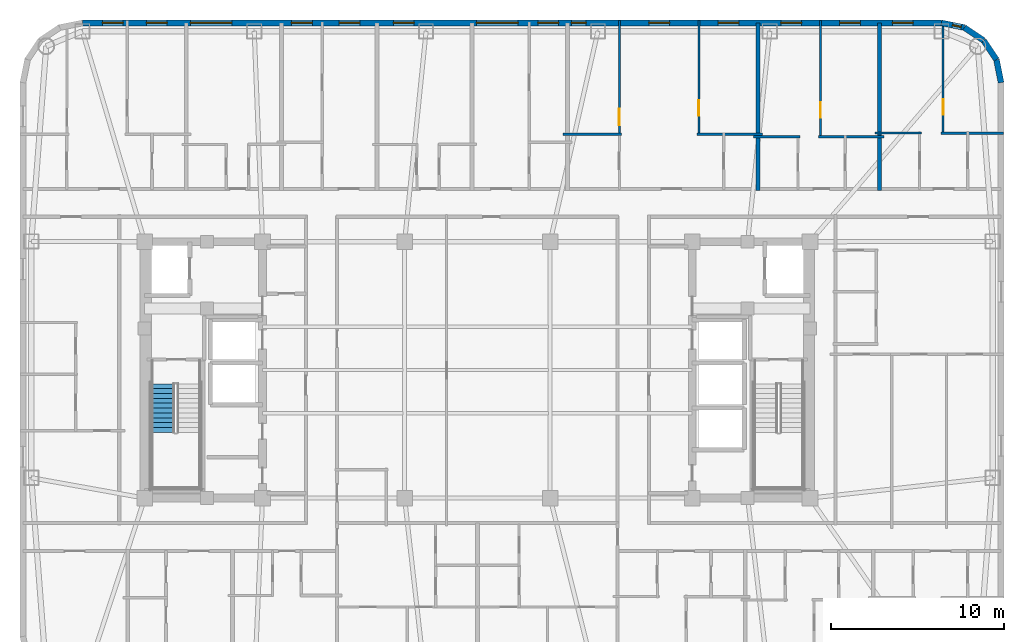
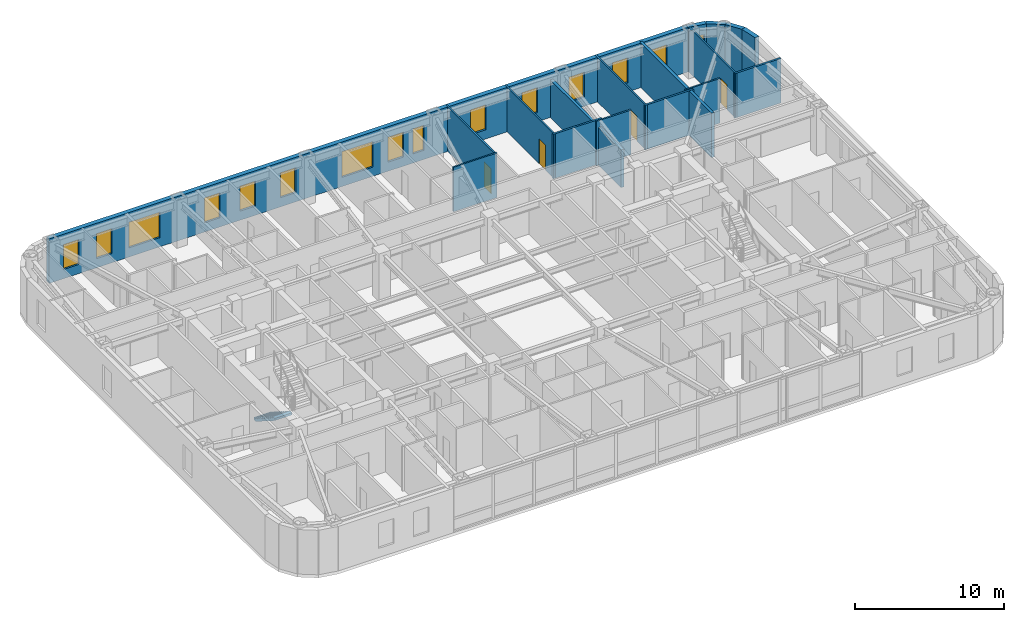
# One storey, part 14 of 17: 17 walls, 15 windows, 4 doors, 1 stair flight, 19 openings, 1 element without a shape of its own.
"""IFC4 building model written with IfcOpenShell, lengths in metres."""

import ifcopenshell
import ifcopenshell.guid

model = None  # the IFC model being written
_history = None  # IfcOwnerHistory: only IFC2X3 demands one
_inside = {}  # id of a spatial element -> (the spatial element, [elements in it])
_under = {}  # id of a project, library or spatial element -> (it, [spatial elements below it])
_declared = {}  # id of a project -> (the project, [libraries it declares])
_typed = {}  # id of a type object -> (the type object, [elements of that type])
_made_of = {}  # id of a material, layer set ... -> (it, [elements and type objects made of it])


def new_model(schema):
    """Start an empty IFC model of exactly this schema.

    Asked for "IFC4X3", IfcOpenShell would pick the latest addendum, in which some entities
    have other attributes; the version numbers below select the first issue.
    IFC2X3 requires an IfcOwnerHistory on every rooted entity: one is made here for all.
    """
    global model, _history
    if schema == "IFC4X3":
        model = ifcopenshell.file(schema_version=(4, 3, 0, 0))
    else:
        model = ifcopenshell.file(schema=schema)
    _inside.clear()
    _under.clear()
    _declared.clear()
    _typed.clear()
    _made_of.clear()
    _history = None
    if model.schema == "IFC2X3":
        org = make("IfcOrganization", Name="unknown")
        user = make(
            "IfcPersonAndOrganization",
            ThePerson=make("IfcPerson", FamilyName="unknown"),
            TheOrganization=org,
        )
        app = make(
            "IfcApplication",
            ApplicationDeveloper=org,
            Version="unknown",
            ApplicationFullName="unknown",
            ApplicationIdentifier="unknown",
        )
        _history = make(
            "IfcOwnerHistory",
            OwningUser=user,
            OwningApplication=app,
            ChangeAction="ADDED",
            CreationDate=0,
        )
    return model


def make(cls, **values):
    """One entity of the class cls with the attributes given. An attribute that is None is left unset."""
    return model.create_entity(
        cls, **{name: value for name, value in values.items() if value is not None}
    )


def rooted(cls, **values):
    """An entity with a GlobalId (a new one), such as an element, a storey or a relation."""
    return make(cls, GlobalId=ifcopenshell.guid.new(), OwnerHistory=_history, **values)


def si_unit(unit_type, name, prefix=None):
    """IfcSIUnit, for example si_unit("LENGTHUNIT", "METRE", prefix="MILLI")."""
    return make("IfcSIUnit", UnitType=unit_type, Prefix=prefix, Name=name)


def assignment(units):
    """IfcUnitAssignment: the units of a project."""
    return None if units is None else make("IfcUnitAssignment", Units=units)


def point(xyz):
    """IfcCartesianPoint."""
    return None if xyz is None else make("IfcCartesianPoint", Coordinates=xyz)


def direction(xyz):
    """IfcDirection."""
    return None if xyz is None else make("IfcDirection", DirectionRatios=xyz)


def frame(location, z_axis=None, x_axis=None):
    """IfcAxis2Placement3D, a coordinate frame: its origin and axes. An axis left out is left unset."""
    return make(
        "IfcAxis2Placement3D",
        Location=point(location),
        Axis=direction(z_axis),
        RefDirection=direction(x_axis),
    )


def frame_2d(location, x_axis=None):
    """IfcAxis2Placement2D, a coordinate frame in the plane: its origin and x axis."""
    return make(
        "IfcAxis2Placement2D", Location=point(location), RefDirection=direction(x_axis)
    )


def origin():
    """The frame at (0, 0, 0) with its axes left unset."""
    return frame((0.0, 0.0, 0.0))


def place(relative_to, where):
    """IfcLocalPlacement: puts the frame where relative to a parent placement (None: the world)."""
    return make(
        "IfcLocalPlacement", PlacementRelTo=relative_to, RelativePlacement=where
    )


def context(
    kind, dimensions, precision=None, world=None, true_north=None, identifier=None
):
    """IfcGeometricRepresentationContext, for example the 3D "Model" context."""
    return make(
        "IfcGeometricRepresentationContext",
        ContextIdentifier=identifier,
        ContextType=kind,
        CoordinateSpaceDimension=dimensions,
        Precision=precision,
        WorldCoordinateSystem=world,
        TrueNorth=true_north,
    )


def subcontext(parent, identifier, kind, view, scale=None):
    """IfcGeometricRepresentationSubContext, for example "Body" below "Model"."""
    return make(
        "IfcGeometricRepresentationSubContext",
        ContextIdentifier=identifier,
        ContextType=kind,
        ParentContext=parent,
        TargetScale=scale,
        TargetView=view,
    )


def project(units=None, contexts=None):
    """IfcProject with its units and contexts."""
    return rooted(
        "IfcProject",
        Name="project",
        RepresentationContexts=contexts,
        UnitsInContext=assignment(units),
    )


def spatial(cls, under=None, at=None, **own):
    """A site, building, storey or space (cls), placed at a placement, below another one or the project."""
    s = rooted(cls, ObjectPlacement=at, **own)
    if under is not None:
        _under.setdefault(under.id(), (under, []))[1].append(s)
    return s


def polyline(points):
    """IfcPolyline through the points."""
    return make("IfcPolyline", Points=[point(p) for p in points])


def profile(cls, at=None, kind="AREA", **sizes):
    """A parametric profile (cls). Its sizes go by their IFC names, for example OverallWidth=200.0."""
    return make(cls, ProfileType=kind, Position=at, **sizes)


def rectangle(**sizes):
    """IfcRectangleProfileDef."""
    return profile("IfcRectangleProfileDef", **sizes)


def outline(outer, holes=None, kind="AREA"):
    """IfcArbitraryClosedProfileDef: a profile drawn as a closed curve; with holes, ...WithVoids."""
    if holes is None:
        return make("IfcArbitraryClosedProfileDef", ProfileType=kind, OuterCurve=outer)
    return make(
        "IfcArbitraryProfileDefWithVoids",
        ProfileType=kind,
        OuterCurve=outer,
        InnerCurves=holes,
    )


def extrude(swept, where, along, depth):
    """IfcExtrudedAreaSolid: the profile swept, set in the frame where, extruded along a direction by depth."""
    return make(
        "IfcExtrudedAreaSolid",
        SweptArea=swept,
        Position=where,
        ExtrudedDirection=direction(along),
        Depth=depth,
    )


def shape(context_of_items, identifier, shape_type, items):
    """IfcShapeRepresentation: the items that make up one representation, for example the "Body"."""
    return make(
        "IfcShapeRepresentation",
        ContextOfItems=context_of_items,
        RepresentationIdentifier=identifier,
        RepresentationType=shape_type,
        Items=items,
    )


def material(Name=None, Category=None):
    """IfcMaterial."""
    return make("IfcMaterial", Name=Name, Category=Category)


def layer(
    of_material, thickness, ventilated=None, Name=None, Category=None, Priority=None
):
    """IfcMaterialLayer: one layer of a wall or slab, of a material (None: an air gap)."""
    return make(
        "IfcMaterialLayer",
        Material=of_material,
        LayerThickness=thickness,
        IsVentilated=ventilated,
        Name=Name,
        Category=Category,
        Priority=Priority,
    )


def layer_set(layers, Name=None):
    """IfcMaterialLayerSet."""
    return make("IfcMaterialLayerSet", MaterialLayers=layers, LayerSetName=Name)


def made_of(thing, what):
    """Note that an element or type object is made of a material, layer set ...; save() writes the relation."""
    if what is not None:
        _made_of.setdefault(what.id(), (what, []))[1].append(thing)
    return thing


def type_object(cls, material=None, **own):
    """A type object (cls), such as IfcWallType, which elements share."""
    return made_of(rooted(cls, **own), material)


def element(
    cls,
    number,
    at=None,
    inside=None,
    cuts=None,
    type_object=None,
    material=None,
    context=None,
    identifier="Body",
    shape_type=None,
    held_by="IfcProductDefinitionShape",
    body=None,
    shapes=None,
    **own,
):
    """One element of the class cls, such as IfcWall. Its Tag is "e" and its number.

    at: its placement. inside: the storey or other place that contains it. cuts: it is an
    opening in that element (IfcRelVoidsElement). A single representation is given by context,
    identifier, shape_type and body (its items); several are given by shapes. held_by: the class
    of the entity that holds the representations. save() writes the other relations.
    """
    e = rooted(cls, Tag="e%d" % number, ObjectPlacement=at, **own)
    if body is not None:
        shapes = [shape(context, identifier, shape_type, body)]
    if shapes is not None:
        e.Representation = make(held_by, Representations=shapes)
    if inside is not None:
        _inside.setdefault(inside.id(), (inside, []))[1].append(e)
    if cuts is not None:
        rooted(
            "IfcRelVoidsElement", RelatingBuildingElement=cuts, RelatedOpeningElement=e
        )
    if type_object is not None:
        _typed.setdefault(type_object.id(), (type_object, []))[1].append(e)
    return made_of(e, material)


def fill(opening, filler):
    """IfcRelFillsElement: the door or window that sits in an opening."""
    return rooted(
        "IfcRelFillsElement",
        RelatingOpeningElement=opening,
        RelatedBuildingElement=filler,
    )


def aggregate(whole, parts):
    """IfcRelAggregates: a whole, such as a stair, and the parts it consists of."""
    return rooted("IfcRelAggregates", RelatingObject=whole, RelatedObjects=parts)


def save(model, path):
    """Write the relations noted so far, then the file.

    IfcRelAggregates (storeys below a building ...), IfcRelContainedInSpatialStructure (elements
    in a storey), IfcRelDefinesByType, IfcRelAssociatesMaterial and IfcRelDeclares: one each for
    every whole, place, type object, material and project.
    """
    for whole, parts in _under.values():
        aggregate(whole, parts)
    for where, things in _inside.values():
        rooted(
            "IfcRelContainedInSpatialStructure",
            RelatedElements=things,
            RelatingStructure=where,
        )
    for kind, things in _typed.values():
        rooted("IfcRelDefinesByType", RelatedObjects=things, RelatingType=kind)
    for what, things in _made_of.values():
        rooted("IfcRelAssociatesMaterial", RelatedObjects=things, RelatingMaterial=what)
    for by, libraries in _declared.values():
        rooted("IfcRelDeclares", RelatingContext=by, RelatedDefinitions=libraries)
    model.write(path)


model = new_model("IFC4")

# Units and contexts
model_context = context("Model", 3, precision=1e-05, world=origin(), true_north=direction((0.0, 1.0)))
body_context = subcontext(model_context, "Body", "Model", "MODEL_VIEW")
ifc_project = project(units=[si_unit("LENGTHUNIT", "METRE"), si_unit("AREAUNIT", "SQUARE_METRE"), si_unit("VOLUMEUNIT", "CUBIC_METRE"), si_unit("PLANEANGLEUNIT", "RADIAN"), si_unit("MASSUNIT", "GRAM", prefix="KILO")], contexts=[model_context])

# Site, building, storey
site_placement = place(None, origin())
site = spatial("IfcSite", under=ifc_project, at=site_placement, CompositionType="ELEMENT")
building_placement = place(site_placement, origin())
building = spatial("IfcBuilding", under=site, at=building_placement, Name="Voryun Gate Residences", CompositionType="ELEMENT")
storey_placement = place(building_placement, frame((0.0, 0.0, 204.10009765625)))
storey = spatial("IfcBuildingStorey", under=building, at=storey_placement, Name="L50", CompositionType="ELEMENT", Elevation=204.10009765625)

# Wall, openings, windows
ifc_material_1 = material(Name="Charcoal terracotta masonry", Category="masonry")
ifc_layer_1 = layer(ifc_material_1, 0.340087890625, Name="W_EXT_TERRACOTTA_340")
ifc_layer_set_1 = layer_set([ifc_layer_1], Name="Charcoal terracotta masonry")
wall_type_1 = type_object("IfcWallType", Name="W_EXT_TERRACOTTA_340", PredefinedType="ELEMENTEDWALL", material=ifc_layer_set_1)
wall_1_placement = place(storey_placement, frame((-22.783203125, 20.030029296875, 0.0), z_axis=(0.0, 0.0, 1.0), x_axis=(1.0, 0.0, 0.0)))
wall_1 = element("IfcWall", 1, at=wall_1_placement, inside=storey, type_object=wall_type_1, Name="Exterior wall WEXT-L50-11", PredefinedType="ELEMENTEDWALL", context=body_context, shape_type="SweptSolid", body=[
    extrude(rectangle(XDim=49.56640625, YDim=0.340087890625, at=frame_2d((24.783203125, 0.0))), origin(), (0.0, 0.0, 1.0), 3.64990234375),
])
opening_1_placement = place(wall_1_placement, frame((6.211181640625, 0.0, 0.75)))
opening_1 = element("IfcOpeningElement", 2, at=opening_1_placement, cuts=wall_1, Name="Opening WN2", PredefinedType="OPENING", context=body_context, shape_type="SweptSolid", body=[
    extrude(rectangle(XDim=2.39990234375, YDim=2.10009765625, at=frame_2d((1.199951171875, 1.050048828125))), frame((0.0, 0.179931640625, 0.0), z_axis=(0.0, -1.0, 0.0), x_axis=(1.0, 0.0, 0.0)), (0.0, 0.0, 1.0), 0.360107421875),
])
opening_2_placement = place(wall_1_placement, frame((22.7333984375, 0.0, 0.75)))
opening_2 = element("IfcOpeningElement", 3, at=opening_2_placement, cuts=wall_1, Name="Opening WN2", PredefinedType="OPENING", context=body_context, shape_type="SweptSolid", body=[
    extrude(rectangle(XDim=2.39990234375, YDim=2.10009765625, at=frame_2d((1.199951171875, 1.050048828125))), frame((0.0, 0.179931640625, 0.0), z_axis=(0.0, -1.0, 0.0), x_axis=(1.0, 0.0, 0.0)), (0.0, 0.0, 1.0), 0.360107421875),
])
opening_3_placement = place(wall_1_placement, frame((1.131591796875, 0.0, 0.75)))
opening_3 = element("IfcOpeningElement", 4, at=opening_3_placement, cuts=wall_1, Name="Opening WN6", PredefinedType="OPENING", context=body_context, shape_type="SweptSolid", body=[
    extrude(rectangle(XDim=1.199951171875, YDim=2.050048828125, at=frame_2d((0.60009765625, 1.02490234375))), frame((0.0, 0.179931640625, 0.0), z_axis=(0.0, -1.0, 0.0), x_axis=(1.0, 0.0, 0.0)), (0.0, 0.0, 1.0), 0.360107421875),
])
opening_4_placement = place(wall_1_placement, frame((3.67822265625, 0.0, 0.75)))
opening_4 = element("IfcOpeningElement", 5, at=opening_4_placement, cuts=wall_1, Name="Opening WN6", PredefinedType="OPENING", context=body_context, shape_type="SweptSolid", body=[
    extrude(rectangle(XDim=1.199951171875, YDim=2.050048828125, at=frame_2d((0.60009765625, 1.02490234375))), frame((0.0, 0.179931640625, 0.0), z_axis=(0.0, -1.0, 0.0), x_axis=(1.0, 0.0, 0.0)), (0.0, 0.0, 1.0), 0.360107421875),
])
opening_5_placement = place(wall_1_placement, frame((14.8037109375, 0.0, 0.75)))
opening_5 = element("IfcOpeningElement", 6, at=opening_5_placement, cuts=wall_1, Name="Opening WN6", PredefinedType="OPENING", context=body_context, shape_type="SweptSolid", body=[
    extrude(rectangle(XDim=1.199951171875, YDim=2.050048828125, at=frame_2d((0.60009765625, 1.02490234375))), frame((0.0, 0.179931640625, 0.0), z_axis=(0.0, -1.0, 0.0), x_axis=(1.0, 0.0, 0.0)), (0.0, 0.0, 1.0), 0.360107421875),
])
opening_6_placement = place(wall_1_placement, frame((12.0537109375, 0.0, 0.75)))
opening_6 = element("IfcOpeningElement", 7, at=opening_6_placement, cuts=wall_1, Name="Opening WN6", PredefinedType="OPENING", context=body_context, shape_type="SweptSolid", body=[
    extrude(rectangle(XDim=1.199951171875, YDim=2.050048828125, at=frame_2d((0.60009765625, 1.02490234375))), frame((0.0, 0.179931640625, 0.0), z_axis=(0.0, -1.0, 0.0), x_axis=(1.0, 0.0, 0.0)), (0.0, 0.0, 1.0), 0.360107421875),
])
opening_7_placement = place(wall_1_placement, frame((17.933349609375, 0.0, 0.75)))
opening_7 = element("IfcOpeningElement", 8, at=opening_7_placement, cuts=wall_1, Name="Opening WN6", PredefinedType="OPENING", context=body_context, shape_type="SweptSolid", body=[
    extrude(rectangle(XDim=1.199951171875, YDim=2.050048828125, at=frame_2d((0.60009765625, 1.02490234375))), frame((0.0, 0.179931640625, 0.0), z_axis=(0.0, -1.0, 0.0), x_axis=(1.0, 0.0, 0.0)), (0.0, 0.0, 1.0), 0.360107421875),
])
opening_8_placement = place(wall_1_placement, frame((26.2783203125, 0.0, 0.75)))
opening_8 = element("IfcOpeningElement", 9, at=opening_8_placement, cuts=wall_1, Name="Opening WN6", PredefinedType="OPENING", context=body_context, shape_type="SweptSolid", body=[
    extrude(rectangle(XDim=1.199951171875, YDim=2.050048828125, at=frame_2d((0.60009765625, 1.02490234375))), frame((0.0, 0.179931640625, 0.0), z_axis=(0.0, -1.0, 0.0), x_axis=(1.0, 0.0, 0.0)), (0.0, 0.0, 1.0), 0.360107421875),
])
opening_9_placement = place(wall_1_placement, frame((32.67724609375, 0.0, 0.75)))
opening_9 = element("IfcOpeningElement", 10, at=opening_9_placement, cuts=wall_1, Name="Opening WN6", PredefinedType="OPENING", context=body_context, shape_type="SweptSolid", body=[
    extrude(rectangle(XDim=1.199951171875, YDim=2.050048828125, at=frame_2d((0.60009765625, 1.02490234375))), frame((0.0, 0.179931640625, 0.0), z_axis=(0.0, -1.0, 0.0), x_axis=(1.0, 0.0, 0.0)), (0.0, 0.0, 1.0), 0.360107421875),
])
opening_10_placement = place(wall_1_placement, frame((28.21728515625, 0.0, 0.75)))
opening_10 = element("IfcOpeningElement", 11, at=opening_10_placement, cuts=wall_1, Name="Opening WN9", PredefinedType="OPENING", context=body_context, shape_type="SweptSolid", body=[
    extrude(rectangle(XDim=0.85009765625, YDim=2.050048828125, at=frame_2d((0.425048828125, 1.02490234375))), frame((0.0, 0.179931640625, 0.0), z_axis=(0.0, -1.0, 0.0), x_axis=(1.0, 0.0, 0.0)), (0.0, 0.0, 1.0), 0.360107421875),
])
opening_11_placement = place(wall_1_placement, frame((36.67822265625, 0.0, 0.75)))
opening_11 = element("IfcOpeningElement", 12, at=opening_11_placement, cuts=wall_1, Name="Opening WN6", PredefinedType="OPENING", context=body_context, shape_type="SweptSolid", body=[
    extrude(rectangle(XDim=1.199951171875, YDim=2.050048828125, at=frame_2d((0.60009765625, 1.02490234375))), frame((0.0, 0.179931640625, 0.0), z_axis=(0.0, -1.0, 0.0), x_axis=(1.0, 0.0, 0.0)), (0.0, 0.0, 1.0), 0.360107421875),
])
opening_12_placement = place(wall_1_placement, frame((40.307373046875, 0.0, 0.75)))
opening_12 = element("IfcOpeningElement", 13, at=opening_12_placement, cuts=wall_1, Name="Opening WN6", PredefinedType="OPENING", context=body_context, shape_type="SweptSolid", body=[
    extrude(rectangle(XDim=1.199951171875, YDim=2.050048828125, at=frame_2d((0.60009765625, 1.02490234375))), frame((0.0, 0.179931640625, 0.0), z_axis=(0.0, -1.0, 0.0), x_axis=(1.0, 0.0, 0.0)), (0.0, 0.0, 1.0), 0.360107421875),
])
opening_13_placement = place(wall_1_placement, frame((43.6962890625, 0.0, 0.75)))
opening_13 = element("IfcOpeningElement", 14, at=opening_13_placement, cuts=wall_1, Name="Opening WN6", PredefinedType="OPENING", context=body_context, shape_type="SweptSolid", body=[
    extrude(rectangle(XDim=1.199951171875, YDim=2.050048828125, at=frame_2d((0.60009765625, 1.02490234375))), frame((0.0, 0.179931640625, 0.0), z_axis=(0.0, -1.0, 0.0), x_axis=(1.0, 0.0, 0.0)), (0.0, 0.0, 1.0), 0.360107421875),
])
opening_14_placement = place(wall_1_placement, frame((46.739013671875, 0.0, 0.75)))
opening_14 = element("IfcOpeningElement", 15, at=opening_14_placement, cuts=wall_1, Name="Opening WN6", PredefinedType="OPENING", context=body_context, shape_type="SweptSolid", body=[
    extrude(rectangle(XDim=1.199951171875, YDim=2.050048828125, at=frame_2d((0.60009765625, 1.02490234375))), frame((0.0, 0.179931640625, 0.0), z_axis=(0.0, -1.0, 0.0), x_axis=(1.0, 0.0, 0.0)), (0.0, 0.0, 1.0), 0.360107421875),
])
ifc_material_2 = material(Name="Laminated low-E glass", Category="glass")
window_type_1 = type_object("IfcWindowType", Name="WN_POD_SLOT_1200", PartitioningType="SINGLE_PANEL", PredefinedType="WINDOW", material=ifc_material_2)
window_1_placement = place(opening_3_placement, origin())
window_1 = element("IfcWindow", 16, at=window_1_placement, inside=storey, type_object=window_type_1, Name="Window WN-L50-DWFIX-01", OverallHeight=2.050048828125, OverallWidth=1.199951171875, PartitioningType="SINGLE_PANEL", PredefinedType="WINDOW", context=body_context, shape_type="SweptSolid", body=[
    extrude(rectangle(XDim=1.199951171875, YDim=2.050048828125, at=frame_2d((0.60009765625, 1.02490234375))), frame((0.0, 0.030029296875, 0.0), z_axis=(0.0, -1.0, 0.0), x_axis=(1.0, 0.0, 0.0)), (0.0, 0.0, 1.0), 0.06005859375),
])
fill(opening_3, window_1)
window_2_placement = place(opening_4_placement, origin())
window_2 = element("IfcWindow", 17, at=window_2_placement, inside=storey, type_object=window_type_1, Name="Window WN-L50-DWFIX-03", OverallHeight=2.050048828125, OverallWidth=1.199951171875, PartitioningType="SINGLE_PANEL", PredefinedType="WINDOW", context=body_context, shape_type="SweptSolid", body=[
    extrude(rectangle(XDim=1.199951171875, YDim=2.050048828125, at=frame_2d((0.60009765625, 1.02490234375))), frame((0.0, 0.030029296875, 0.0), z_axis=(0.0, -1.0, 0.0), x_axis=(1.0, 0.0, 0.0)), (0.0, 0.0, 1.0), 0.06005859375),
])
fill(opening_4, window_2)
window_3_placement = place(opening_5_placement, origin())
window_3 = element("IfcWindow", 18, at=window_3_placement, inside=storey, type_object=window_type_1, Name="Window WN-L50-DWFIX-04", OverallHeight=2.050048828125, OverallWidth=1.199951171875, PartitioningType="SINGLE_PANEL", PredefinedType="WINDOW", context=body_context, shape_type="SweptSolid", body=[
    extrude(rectangle(XDim=1.199951171875, YDim=2.050048828125, at=frame_2d((0.60009765625, 1.02490234375))), frame((0.0, 0.030029296875, 0.0), z_axis=(0.0, -1.0, 0.0), x_axis=(1.0, 0.0, 0.0)), (0.0, 0.0, 1.0), 0.06005859375),
])
fill(opening_5, window_3)
window_4_placement = place(opening_6_placement, origin())
window_4 = element("IfcWindow", 19, at=window_4_placement, inside=storey, type_object=window_type_1, Name="Window WN-L50-DWFIX-05", OverallHeight=2.050048828125, OverallWidth=1.199951171875, PartitioningType="SINGLE_PANEL", PredefinedType="WINDOW", context=body_context, shape_type="SweptSolid", body=[
    extrude(rectangle(XDim=1.199951171875, YDim=2.050048828125, at=frame_2d((0.60009765625, 1.02490234375))), frame((0.0, 0.030029296875, 0.0), z_axis=(0.0, -1.0, 0.0), x_axis=(1.0, 0.0, 0.0)), (0.0, 0.0, 1.0), 0.06005859375),
])
fill(opening_6, window_4)
window_5_placement = place(opening_7_placement, origin())
window_5 = element("IfcWindow", 20, at=window_5_placement, inside=storey, type_object=window_type_1, Name="Window WN-L50-DWFIX-06", OverallHeight=2.050048828125, OverallWidth=1.199951171875, PartitioningType="SINGLE_PANEL", PredefinedType="WINDOW", context=body_context, shape_type="SweptSolid", body=[
    extrude(rectangle(XDim=1.199951171875, YDim=2.050048828125, at=frame_2d((0.60009765625, 1.02490234375))), frame((0.0, 0.030029296875, 0.0), z_axis=(0.0, -1.0, 0.0), x_axis=(1.0, 0.0, 0.0)), (0.0, 0.0, 1.0), 0.06005859375),
])
fill(opening_7, window_5)
window_6_placement = place(opening_8_placement, origin())
window_6 = element("IfcWindow", 21, at=window_6_placement, inside=storey, type_object=window_type_1, Name="Window WN-L50-DWFIX-07", OverallHeight=2.050048828125, OverallWidth=1.199951171875, PartitioningType="SINGLE_PANEL", PredefinedType="WINDOW", context=body_context, shape_type="SweptSolid", body=[
    extrude(rectangle(XDim=1.199951171875, YDim=2.050048828125, at=frame_2d((0.60009765625, 1.02490234375))), frame((0.0, 0.030029296875, 0.0), z_axis=(0.0, -1.0, 0.0), x_axis=(1.0, 0.0, 0.0)), (0.0, 0.0, 1.0), 0.06005859375),
])
fill(opening_8, window_6)
window_7_placement = place(opening_9_placement, origin())
window_7 = element("IfcWindow", 22, at=window_7_placement, inside=storey, type_object=window_type_1, Name="Window WN-L50-DWFIX-08", OverallHeight=2.050048828125, OverallWidth=1.199951171875, PartitioningType="SINGLE_PANEL", PredefinedType="WINDOW", context=body_context, shape_type="SweptSolid", body=[
    extrude(rectangle(XDim=1.199951171875, YDim=2.050048828125, at=frame_2d((0.60009765625, 1.02490234375))), frame((0.0, 0.030029296875, 0.0), z_axis=(0.0, -1.0, 0.0), x_axis=(1.0, 0.0, 0.0)), (0.0, 0.0, 1.0), 0.06005859375),
])
fill(opening_9, window_7)
window_8_placement = place(opening_11_placement, origin())
window_8 = element("IfcWindow", 23, at=window_8_placement, inside=storey, type_object=window_type_1, Name="Window WN-L50-DWFIX-10", OverallHeight=2.050048828125, OverallWidth=1.199951171875, PartitioningType="SINGLE_PANEL", PredefinedType="WINDOW", context=body_context, shape_type="SweptSolid", body=[
    extrude(rectangle(XDim=1.199951171875, YDim=2.050048828125, at=frame_2d((0.60009765625, 1.02490234375))), frame((0.0, 0.030029296875, 0.0), z_axis=(0.0, -1.0, 0.0), x_axis=(1.0, 0.0, 0.0)), (0.0, 0.0, 1.0), 0.06005859375),
])
fill(opening_11, window_8)
window_9_placement = place(opening_12_placement, origin())
window_9 = element("IfcWindow", 24, at=window_9_placement, inside=storey, type_object=window_type_1, Name="Window WN-L50-DWFIX-11", OverallHeight=2.050048828125, OverallWidth=1.199951171875, PartitioningType="SINGLE_PANEL", PredefinedType="WINDOW", context=body_context, shape_type="SweptSolid", body=[
    extrude(rectangle(XDim=1.199951171875, YDim=2.050048828125, at=frame_2d((0.60009765625, 1.02490234375))), frame((0.0, 0.030029296875, 0.0), z_axis=(0.0, -1.0, 0.0), x_axis=(1.0, 0.0, 0.0)), (0.0, 0.0, 1.0), 0.06005859375),
])
fill(opening_12, window_9)
window_10_placement = place(opening_13_placement, origin())
window_10 = element("IfcWindow", 25, at=window_10_placement, inside=storey, type_object=window_type_1, Name="Window WN-L50-DWFIX-12", OverallHeight=2.050048828125, OverallWidth=1.199951171875, PartitioningType="SINGLE_PANEL", PredefinedType="WINDOW", context=body_context, shape_type="SweptSolid", body=[
    extrude(rectangle(XDim=1.199951171875, YDim=2.050048828125, at=frame_2d((0.60009765625, 1.02490234375))), frame((0.0, 0.030029296875, 0.0), z_axis=(0.0, -1.0, 0.0), x_axis=(1.0, 0.0, 0.0)), (0.0, 0.0, 1.0), 0.06005859375),
])
fill(opening_13, window_10)
window_11_placement = place(opening_14_placement, origin())
window_11 = element("IfcWindow", 26, at=window_11_placement, inside=storey, type_object=window_type_1, Name="Window WN-L50-DWFIX-13", OverallHeight=2.050048828125, OverallWidth=1.199951171875, PartitioningType="SINGLE_PANEL", PredefinedType="WINDOW", context=body_context, shape_type="SweptSolid", body=[
    extrude(rectangle(XDim=1.199951171875, YDim=2.050048828125, at=frame_2d((0.60009765625, 1.02490234375))), frame((0.0, 0.030029296875, 0.0), z_axis=(0.0, -1.0, 0.0), x_axis=(1.0, 0.0, 0.0)), (0.0, 0.0, 1.0), 0.06005859375),
])
fill(opening_14, window_11)
ifc_material_3 = material(Name="Laminated low-E glass", Category="glass")
window_type_2 = type_object("IfcWindowType", Name="WN_RES_CASEMENT_850", PartitioningType="SINGLE_PANEL", PredefinedType="WINDOW", material=ifc_material_3)
window_12_placement = place(opening_10_placement, origin())
window_12 = element("IfcWindow", 27, at=window_12_placement, inside=storey, type_object=window_type_2, Name="Window WN-L50-DWFIX-09", OverallHeight=2.050048828125, OverallWidth=0.85009765625, PartitioningType="SINGLE_PANEL", PredefinedType="WINDOW", context=body_context, shape_type="SweptSolid", body=[
    extrude(rectangle(XDim=0.85009765625, YDim=2.050048828125, at=frame_2d((0.425048828125, 1.02490234375))), frame((0.0, 0.030029296875, 0.0), z_axis=(0.0, -1.0, 0.0), x_axis=(1.0, 0.0, 0.0)), (0.0, 0.0, 1.0), 0.06005859375),
])
fill(opening_10, window_12)
ifc_material_4 = material(Name="Laminated low-E glass", Category="glass")
window_type_3 = type_object("IfcWindowType", Name="WN_RES_WIDE_2400", PartitioningType="SINGLE_PANEL", PredefinedType="WINDOW", material=ifc_material_4)
window_13_placement = place(opening_1_placement, origin())
window_13 = element("IfcWindow", 28, at=window_13_placement, inside=storey, type_object=window_type_3, Name="Window WN-WEXT-L50-11-01", OverallHeight=2.10009765625, OverallWidth=2.39990234375, PartitioningType="SINGLE_PANEL", PredefinedType="WINDOW", context=body_context, shape_type="SweptSolid", body=[
    extrude(rectangle(XDim=2.39990234375, YDim=2.10009765625, at=frame_2d((1.199951171875, 1.050048828125))), frame((0.0, 0.030029296875, 0.0), z_axis=(0.0, -1.0, 0.0), x_axis=(1.0, 0.0, 0.0)), (0.0, 0.0, 1.0), 0.06005859375),
])
fill(opening_1, window_13)
window_14_placement = place(opening_2_placement, origin())
window_14 = element("IfcWindow", 29, at=window_14_placement, inside=storey, type_object=window_type_3, Name="Window WN-WEXT-L50-11-02", OverallHeight=2.10009765625, OverallWidth=2.39990234375, PartitioningType="SINGLE_PANEL", PredefinedType="WINDOW", context=body_context, shape_type="SweptSolid", body=[
    extrude(rectangle(XDim=2.39990234375, YDim=2.10009765625, at=frame_2d((1.199951171875, 1.050048828125))), frame((0.0, 0.030029296875, 0.0), z_axis=(0.0, -1.0, 0.0), x_axis=(1.0, 0.0, 0.0)), (0.0, 0.0, 1.0), 0.06005859375),
])
fill(opening_2, window_14)

# Wall, opening, window
wall_2_placement = place(storey_placement, frame((26.783203125, 20.030029296875, 0.0), z_axis=(0.0, 0.0, 1.0), x_axis=(0.980788153188, -0.195075878998, 0.0)))
wall_2 = element("IfcWall", 30, at=wall_2_placement, inside=storey, type_object=wall_type_1, Name="Exterior wall WEXT-L50-12", PredefinedType="ELEMENTEDWALL", context=body_context, shape_type="SweptSolid", body=[
    extrude(rectangle(XDim=1.354248046875, YDim=0.340087890625, at=frame_2d((0.67724609375, 0.0))), origin(), (0.0, 0.0, 1.0), 3.64990234375),
])
opening_15_placement = place(wall_2_placement, frame((0.656982421875, 0.0, 0.75)))
opening_15 = element("IfcOpeningElement", 31, at=opening_15_placement, cuts=wall_2, Name="Opening WN10", PredefinedType="OPENING", context=body_context, shape_type="SweptSolid", body=[
    extrude(rectangle(XDim=0.52001953125, YDim=2.050048828125, at=frame_2d((0.260009765625, 1.02490234375))), frame((0.0, 0.179931640625, 0.0), z_axis=(0.0, -1.0, 0.0), x_axis=(1.0, 0.0, 0.0)), (0.0, 0.0, 1.0), 0.360107421875),
])
ifc_material_5 = material(Name="Laminated low-E glass", Category="glass")
window_type_4 = type_object("IfcWindowType", Name="WN_PAGODA_LANCET_520", PartitioningType="SINGLE_PANEL", PredefinedType="WINDOW", material=ifc_material_5)
window_15_placement = place(opening_15_placement, origin())
window_15 = element("IfcWindow", 32, at=window_15_placement, inside=storey, type_object=window_type_4, Name="Window WN-L50-DWFIX-14", OverallHeight=2.050048828125, OverallWidth=0.52001953125, PartitioningType="SINGLE_PANEL", PredefinedType="WINDOW", context=body_context, shape_type="SweptSolid", body=[
    extrude(rectangle(XDim=0.52001953125, YDim=2.050048828125, at=frame_2d((0.260009765625, 1.02490234375))), frame((0.0, 0.030029296875, 0.0), z_axis=(0.0, -1.0, 0.0), x_axis=(1.0, 0.0, 0.0)), (0.0, 0.0, 1.0), 0.06005859375),
])
fill(opening_15, window_15)

# Walls
for number, where, z_axis, x_axis, name in (
    (33, (28.111328125, 19.765869140625, 0.0), (0.0, 0.0, 1.0), (0.831403586725, -0.555669034571, 0.0), "Exterior wall WEXT-L50-13"),
    (34, (29.222900390625, 19.02294921875, 0.0), (0.0, 0.0, 1.0), (0.555669034571, -0.831403586725, 0.0), "Exterior wall WEXT-L50-14"),
):
    element("IfcWall", number, at=place(storey_placement, frame(where, z_axis=z_axis, x_axis=x_axis)), inside=storey, type_object=wall_type_1, Name=name, PredefinedType="ELEMENTEDWALL", context=body_context, shape_type="SweptSolid", body=[
        extrude(rectangle(XDim=1.3369140625, YDim=0.340087890625, at=frame_2d((0.66845703125, 0.0))), origin(), (0.0, 0.0, 1.0), 3.64990234375),
    ])
wall_3_placement = place(storey_placement, frame((29.9658203125, 17.911376953125, 0.0), z_axis=(0.0, 0.0, 1.0), x_axis=(0.195075878998, -0.980788153188, 0.0)))
element("IfcWall", 35, at=wall_3_placement, inside=storey, type_object=wall_type_1, Name="Exterior wall WEXT-L50-15", PredefinedType="ELEMENTEDWALL", context=body_context, shape_type="SweptSolid", body=[
    extrude(rectangle(XDim=1.354248046875, YDim=0.340087890625, at=frame_2d((0.67724609375, 0.0))), origin(), (0.0, 0.0, 1.0), 3.64990234375),
])
ifc_material_6 = material(Name="Concrete C40/50", Category="concrete")
ifc_layer_2 = layer(ifc_material_6, 0.219970703125, Name="W_PARTY_ACOUSTIC_220")
ifc_layer_set_2 = layer_set([ifc_layer_2], Name="Concrete C40/50")
wall_type_2 = type_object("IfcWallType", Name="W_PARTY_ACOUSTIC_220", PredefinedType="PARTITIONING", material=ifc_layer_set_2)
wall_4_placement = place(storey_placement, frame((16.199951171875, 10.3701171875, 0.0), z_axis=(0.0, 0.0, 1.0), x_axis=(0.0, 1.0, 0.0)))
element("IfcWall", 36, at=wall_4_placement, inside=storey, type_object=wall_type_2, Name="Partition wall WP-L50-NPTY-6", PredefinedType="PARTITIONING", context=body_context, shape_type="SweptSolid", body=[
    extrude(rectangle(XDim=9.659912109375, YDim=0.219970703125, at=frame_2d((4.830078125, 0.0))), origin(), (0.0, 0.0, 1.0), 3.08984375),
])
wall_5_placement = place(storey_placement, frame((23.218017578125, 10.3701171875, 0.0), z_axis=(0.0, 0.0, 1.0), x_axis=(0.0, 1.0, 0.0)))
element("IfcWall", 37, at=wall_5_placement, inside=storey, type_object=wall_type_2, Name="Partition wall WP-L50-NPTY-7", PredefinedType="PARTITIONING", context=body_context, shape_type="SweptSolid", body=[
    extrude(rectangle(XDim=9.659912109375, YDim=0.219970703125, at=frame_2d((4.830078125, 0.0))), origin(), (0.0, 0.0, 1.0), 3.64990234375),
])

# Wall, opening, door
ifc_material_7 = material(Name="Gypsum acoustic partition")
ifc_layer_3 = layer(ifc_material_7, 0.125, Name="W_UNIT_PART_125")
ifc_layer_set_3 = layer_set([ifc_layer_3], Name="Gypsum acoustic partition")
wall_type_3 = type_object("IfcWallType", Name="W_UNIT_PART_125", PredefinedType="PARTITIONING", material=ifc_layer_set_3)
wall_6_placement = place(storey_placement, frame((8.197998046875, 13.54052734375, 0.0), z_axis=(0.0, 0.0, 1.0), x_axis=(0.0, 1.0, 0.0)))
wall_6 = element("IfcWall", 38, at=wall_6_placement, inside=storey, type_object=wall_type_3, Name="Partition wall WP-L50-N6-OVL", PredefinedType="PARTITIONING", context=body_context, shape_type="SweptSolid", body=[
    extrude(rectangle(XDim=6.639404296875, YDim=0.125, at=frame_2d((3.31982421875, 0.0))), origin(), (0.0, 0.0, 1.0), 3.64990234375),
])
opening_16_placement = place(wall_6_placement, frame((0.572509765625, 0.0, 0.0)))
opening_16 = element("IfcOpeningElement", 39, at=opening_16_placement, cuts=wall_6, Name="Opening D-INT-1", PredefinedType="OPENING", context=body_context, shape_type="SweptSolid", body=[
    extrude(rectangle(XDim=0.949951171875, YDim=2.050048828125, at=frame_2d((0.47509765625, 1.02490234375))), frame((0.0, 0.072509765625, 0.0), z_axis=(0.0, -1.0, 0.0), x_axis=(1.0, 0.0, 0.0)), (0.0, 0.0, 1.0), 0.14501953125),
])
ifc_material_8 = material(Name="Architectural oak veneer")
door_type_1 = type_object("IfcDoorType", Name="DR_INT_ROOM_950", OperationType="NOTDEFINED", PredefinedType="DOOR", material=ifc_material_8)
door_1_placement = place(opening_16_placement, origin())
door_1 = element("IfcDoor", 40, at=door_1_placement, inside=storey, type_object=door_type_1, Name="Door DR-L50-N6-DB2", OperationType="SINGLE_SWING_LEFT", OverallHeight=2.050048828125, OverallWidth=0.949951171875, PredefinedType="DOOR", context=body_context, shape_type="SweptSolid", body=[
    extrude(rectangle(XDim=0.949951171875, YDim=2.050048828125, at=frame_2d((0.47509765625, 1.02490234375))), frame((0.0, 0.02490234375, 0.0), z_axis=(0.0, -1.0, 0.0), x_axis=(1.0, 0.0, 0.0)), (0.0, 0.0, 1.0), 0.050048828125),
])
fill(opening_16, door_1)

wall_7_placement = place(storey_placement, frame((12.7900390625, 13.52294921875, 0.0), z_axis=(0.0, 0.0, 1.0), x_axis=(0.0, 1.0, 0.0)))
wall_7 = element("IfcWall", 41, at=wall_7_placement, inside=storey, type_object=wall_type_3, Name="Partition wall WP-L50-N6-OVR", PredefinedType="PARTITIONING", context=body_context, shape_type="SweptSolid", body=[
    extrude(rectangle(XDim=6.656982421875, YDim=0.125, at=frame_2d((3.32861328125, 0.0))), origin(), (0.0, 0.0, 1.0), 3.64990234375),
])
opening_17_placement = place(wall_7_placement, frame((1.147705078125, 0.0, 0.0)))
opening_17 = element("IfcOpeningElement", 42, at=opening_17_placement, cuts=wall_7, Name="Opening D-INT-2", PredefinedType="OPENING", context=body_context, shape_type="SweptSolid", body=[
    extrude(rectangle(XDim=0.89990234375, YDim=2.050048828125, at=frame_2d((0.449951171875, 1.02490234375))), frame((0.0, 0.072509765625, 0.0), z_axis=(0.0, -1.0, 0.0), x_axis=(1.0, 0.0, 0.0)), (0.0, 0.0, 1.0), 0.14501953125),
])
ifc_material_9 = material(Name="Architectural oak veneer")
door_type_2 = type_object("IfcDoorType", Name="DR_INT_BATH_900", OperationType="NOTDEFINED", PredefinedType="DOOR", material=ifc_material_9)
door_2_placement = place(opening_17_placement, origin())
door_2 = element("IfcDoor", 43, at=door_2_placement, inside=storey, type_object=door_type_2, Name="Door DR-L50-N6-DMB", OperationType="SINGLE_SWING_RIGHT", OverallHeight=2.050048828125, OverallWidth=0.89990234375, PredefinedType="DOOR", context=body_context, shape_type="SweptSolid", body=[
    extrude(rectangle(XDim=0.89990234375, YDim=2.050048828125, at=frame_2d((0.449951171875, 1.02490234375))), frame((0.0, 0.02490234375, 0.0), z_axis=(0.0, -1.0, 0.0), x_axis=(1.0, 0.0, 0.0)), (0.0, 0.0, 1.0), 0.050048828125),
])
fill(opening_17, door_2)

# Wall
wall_8_placement = place(storey_placement, frame((4.93994140625, 13.60302734375, 0.0), z_axis=(0.0, 0.0, 1.0), x_axis=(1.0, 0.0, 0.0)))
element("IfcWall", 44, at=wall_8_placement, inside=storey, type_object=wall_type_3, Name="Partition wall WP-L50-N6-HZK", PredefinedType="PARTITIONING", context=body_context, shape_type="SweptSolid", body=[
    extrude(rectangle(XDim=3.378173828125, YDim=0.125, at=frame_2d((1.68896484375, 0.0))), origin(), (0.0, 0.0, 1.0), 3.64990234375),
])

# Wall, opening, door
wall_9_placement = place(storey_placement, frame((19.80810546875, 13.3798828125, 0.0), z_axis=(0.0, 0.0, 1.0), x_axis=(0.0, 1.0, 0.0)))
wall_9 = element("IfcWall", 45, at=wall_9_placement, inside=storey, type_object=wall_type_3, Name="Partition wall WP-L50-N7-OVR", PredefinedType="PARTITIONING", context=body_context, shape_type="SweptSolid", body=[
    extrude(rectangle(XDim=6.800048828125, YDim=0.125, at=frame_2d((3.39990234375, 0.0))), origin(), (0.0, 0.0, 1.0), 3.64990234375),
])
opening_18_placement = place(wall_9_placement, frame((1.181884765625, 0.0, 0.0)))
opening_18 = element("IfcOpeningElement", 46, at=opening_18_placement, cuts=wall_9, Name="Opening D-INT-2", PredefinedType="OPENING", context=body_context, shape_type="SweptSolid", body=[
    extrude(rectangle(XDim=0.89990234375, YDim=2.050048828125, at=frame_2d((0.449951171875, 1.02490234375))), frame((0.0, 0.072509765625, 0.0), z_axis=(0.0, -1.0, 0.0), x_axis=(1.0, 0.0, 0.0)), (0.0, 0.0, 1.0), 0.14501953125),
])
door_3_placement = place(opening_18_placement, origin())
door_3 = element("IfcDoor", 47, at=door_3_placement, inside=storey, type_object=door_type_2, Name="Door DR-L50-N7-DMB", OperationType="SINGLE_SWING_RIGHT", OverallHeight=2.050048828125, OverallWidth=0.89990234375, PredefinedType="DOOR", context=body_context, shape_type="SweptSolid", body=[
    extrude(rectangle(XDim=0.89990234375, YDim=2.050048828125, at=frame_2d((0.449951171875, 1.02490234375))), frame((0.0, 0.02490234375, 0.0), z_axis=(0.0, -1.0, 0.0), x_axis=(1.0, 0.0, 0.0)), (0.0, 0.0, 1.0), 0.050048828125),
])
fill(opening_18, door_3)

# Wall
wall_10_placement = place(storey_placement, frame((15.93994140625, 13.4599609375, 0.0), z_axis=(0.0, 0.0, 1.0), x_axis=(1.0, 0.0, 0.0)))
element("IfcWall", 48, at=wall_10_placement, inside=storey, type_object=wall_type_3, Name="Partition wall WP-L50-N7-HZK", PredefinedType="PARTITIONING", context=body_context, shape_type="SweptSolid", body=[
    extrude(rectangle(XDim=2.68994140625, YDim=0.125, at=frame_2d((1.344970703125, 0.0))), origin(), (0.0, 0.0, 1.0), 3.64990234375),
])

# Wall, opening, door
wall_11_placement = place(storey_placement, frame((26.886962890625, 13.590087890625, 0.0), z_axis=(0.0, 0.0, 1.0), x_axis=(0.0, 1.0, 0.0)))
wall_11 = element("IfcWall", 49, at=wall_11_placement, inside=storey, type_object=wall_type_3, Name="Partition wall WP-L50-N8-OVR", PredefinedType="PARTITIONING", context=body_context, shape_type="SweptSolid", body=[
    extrude(rectangle(XDim=6.572265625, YDim=0.125, at=frame_2d((3.2861328125, 0.0))), origin(), (0.0, 0.0, 1.0), 3.64990234375),
])
opening_19_placement = place(wall_11_placement, frame((1.12744140625, 0.0, 0.0)))
opening_19 = element("IfcOpeningElement", 50, at=opening_19_placement, cuts=wall_11, Name="Opening D-INT-2", PredefinedType="OPENING", context=body_context, shape_type="SweptSolid", body=[
    extrude(rectangle(XDim=0.89990234375, YDim=2.050048828125, at=frame_2d((0.449951171875, 1.02490234375))), frame((0.0, 0.072509765625, 0.0), z_axis=(0.0, -1.0, 0.0), x_axis=(1.0, 0.0, 0.0)), (0.0, 0.0, 1.0), 0.14501953125),
])
door_4_placement = place(opening_19_placement, origin())
door_4 = element("IfcDoor", 51, at=door_4_placement, inside=storey, type_object=door_type_2, Name="Door DR-L50-N8-DMB", OperationType="SINGLE_SWING_RIGHT", OverallHeight=2.050048828125, OverallWidth=0.89990234375, PredefinedType="DOOR", context=body_context, shape_type="SweptSolid", body=[
    extrude(rectangle(XDim=0.89990234375, YDim=2.050048828125, at=frame_2d((0.449951171875, 1.02490234375))), frame((0.0, 0.02490234375, 0.0), z_axis=(0.0, -1.0, 0.0), x_axis=(1.0, 0.0, 0.0)), (0.0, 0.0, 1.0), 0.050048828125),
])
fill(opening_19, door_4)

# Walls
wall_12_placement = place(storey_placement, frame((22.9580078125, 13.669921875, 0.0), z_axis=(0.0, 0.0, 1.0), x_axis=(1.0, 0.0, 0.0)))
element("IfcWall", 52, at=wall_12_placement, inside=storey, type_object=wall_type_3, Name="Partition wall WP-L50-N8-HZK", PredefinedType="PARTITIONING", context=body_context, shape_type="SweptSolid", body=[
    extrude(rectangle(XDim=2.68994140625, YDim=0.125, at=frame_2d((1.344970703125, 0.0))), origin(), (0.0, 0.0, 1.0), 3.64990234375),
])
ifc_material_10 = material(Name="Gypsum moisture-resistant partition")
ifc_layer_4 = layer(ifc_material_10, 0.14990234375, Name="W_WET_PLUMB_150")
ifc_layer_set_4 = layer_set([ifc_layer_4], Name="Gypsum moisture-resistant partition")
wall_type_4 = type_object("IfcWallType", Name="W_WET_PLUMB_150", PredefinedType="PLUMBINGWALL", material=ifc_layer_set_4)
for number, where, z_axis, x_axis, name in (
    (53, (12.669921875, 13.60302734375, 0.0), (0.0, 0.0, 1.0), (1.0, 0.0, 0.0), "Partition wall WP-L50-N6-HZB"),
    (54, (19.68798828125, 13.4599609375, 0.0), (0.0, 0.0, 1.0), (1.0, 0.0, 0.0), "Partition wall WP-L50-N7-HZB"),
):
    element("IfcWall", number, at=place(storey_placement, frame(where, z_axis=z_axis, x_axis=x_axis)), inside=storey, type_object=wall_type_4, Name=name, PredefinedType="PLUMBINGWALL", context=body_context, shape_type="SweptSolid", body=[
        extrude(rectangle(XDim=3.7900390625, YDim=0.14990234375, at=frame_2d((1.89501953125, 0.0))), origin(), (0.0, 0.0, 1.0), 3.64990234375),
    ])
wall_13_placement = place(storey_placement, frame((26.76708984375, 13.669921875, 0.0), z_axis=(0.0, 0.0, 1.0), x_axis=(1.0, 0.0, 0.0)))
element("IfcWall", 55, at=wall_13_placement, inside=storey, type_object=wall_type_4, Name="Partition wall WP-L50-N8-HZB", PredefinedType="PLUMBINGWALL", context=body_context, shape_type="SweptSolid", body=[
    extrude(rectangle(XDim=3.61279296875, YDim=0.14990234375, at=frame_2d((1.806396484375, 0.0))), origin(), (0.0, 0.0, 1.0), 3.64990234375),
])

# Stair, stair flight
ifc_material_11 = material(Name="Concrete C40/50", Category="concrete")
stair_type = type_object("IfcStairType", Name="STR_CORE_DOGLEG_1350", PredefinedType="HALF_TURN_STAIR", material=ifc_material_11)
stair_placement = place(storey_placement, origin())
stair = element("IfcStair", 56, at=stair_placement, inside=storey, type_object=stair_type, Name="L50 Special Escape Stair ST-W1", PredefinedType="HALF_TURN_STAIR")
ifc_material_12 = material(Name="Concrete C40/50", Category="concrete")
stair_flight_type = type_object("IfcStairFlightType", Name="FLT_CORE_1350", PredefinedType="STRAIGHT", material=ifc_material_12)
stair_flight_placement = place(storey_placement, frame((-18.14990234375, -0.800048828125, 0.0), z_axis=(0.0, 0.0, 1.0), x_axis=(0.0, -1.0, 0.0)))
stair_flight = element("IfcStairFlight", 57, at=stair_flight_placement, type_object=stair_flight_type, Name="ST-W1 flight 1", NumberOfRisers=11, NumberOfTreads=10, PredefinedType="STRAIGHT", RiserHeight=0.177272727, TreadLength=0.28, context=body_context, shape_type="SweptSolid", body=[
    extrude(outline(polyline([(0.0, 0.0), (0.0, 0.17724609375), (0.280029296875, 0.17724609375), (0.280029296875, 0.3544921875), (0.56005859375, 0.3544921875), (0.56005859375, 0.53173828125), (0.840087890625, 0.53173828125), (0.840087890625, 0.708984375), (1.1201171875, 0.708984375), (1.1201171875, 0.886474609375), (1.39990234375, 0.886474609375), (1.39990234375, 1.063720703125), (1.679931640625, 1.063720703125), (1.679931640625, 1.240966796875), (1.9599609375, 1.240966796875), (1.9599609375, 1.418212890625), (2.239990234375, 1.418212890625), (2.239990234375, 1.595458984375), (2.52001953125, 1.595458984375), (2.52001953125, 1.772705078125), (2.800048828125, 1.772705078125), (2.800048828125, 1.949951171875), (2.800048828125, 1.59521484375), (0.2802734375, 0.0), (0.0, 0.0)])), frame((0.0, 0.675048828125, 0.0), z_axis=(0.0, -1.0, 0.0), x_axis=(1.0, 0.0, 0.0)), (0.0, 0.0, 1.0), 1.35009765625),
])
aggregate(stair, [stair_flight])

save(model, "model.ifc")
